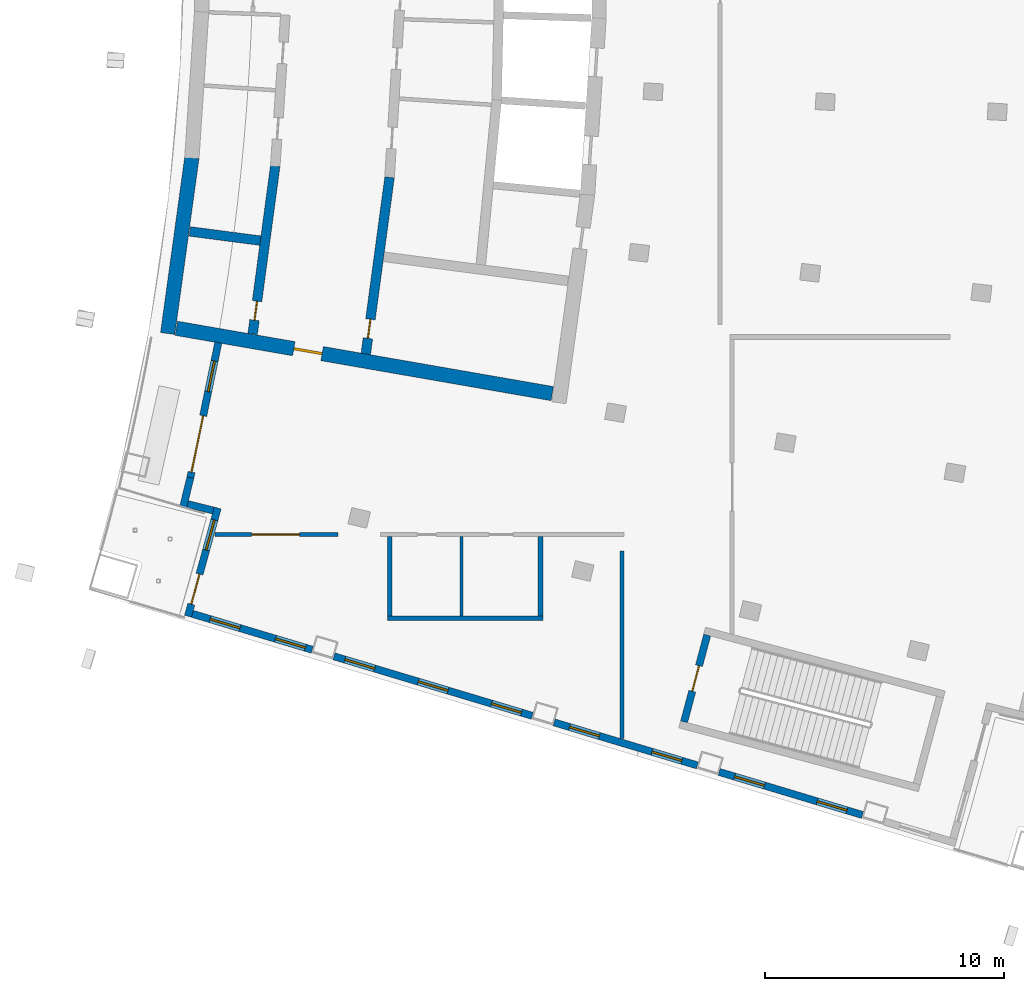
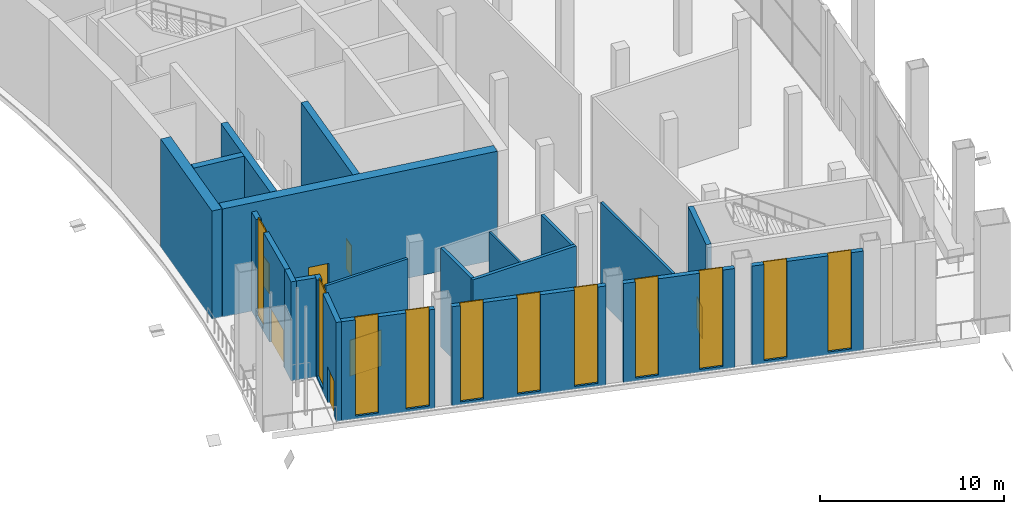
# One storey, part 13 of 24: 20 walls, 11 windows, 7 doors, 18 openings.
"""IFC4 building model written with IfcOpenShell, lengths in metres."""

from ifc_helpers import new_model, si_unit, direction, frame, frame_2d, origin, place, context, subcontext, project, spatial, rectangle, extrude, material, layer, layer_set, type_object, element, fill, save


model = new_model("IFC4")

# Units and contexts
model_context = context("Model", 3, precision=1e-05, world=origin(), true_north=direction((0.0, 1.0)))
body_context = subcontext(model_context, "Body", "Model", "MODEL_VIEW")
ifc_project = project(units=[si_unit("LENGTHUNIT", "METRE"), si_unit("AREAUNIT", "SQUARE_METRE"), si_unit("VOLUMEUNIT", "CUBIC_METRE"), si_unit("PLANEANGLEUNIT", "RADIAN"), si_unit("MASSUNIT", "GRAM", prefix="KILO")], contexts=[model_context])

# Site, building, storey
site_placement = place(None, origin())
site = spatial("IfcSite", under=ifc_project, at=site_placement, CompositionType="ELEMENT")
building_placement = place(site_placement, origin())
building = spatial("IfcBuilding", under=site, at=building_placement, Name="Alderwake Tower", CompositionType="ELEMENT")
storey_placement = place(building_placement, frame((0.0, 0.0, 232.39990234375)))
storey = spatial("IfcBuildingStorey", under=building, at=storey_placement, Name="L58", CompositionType="ELEMENT", Elevation=232.39990234375)

# Wall
ifc_material_1 = material(Name="Concrete C70/85", Category="concrete")
ifc_layer_1 = layer(ifc_material_1, 0.60009765625)
ifc_layer_set_1 = layer_set([ifc_layer_1], Name="Core wall outer 600 C70-85")
wall_type_1 = type_object("IfcWallType", Name="Core wall outer 600 C70-85", PredefinedType="SHEAR", material=ifc_layer_set_1)
wall_1_placement = place(storey_placement, frame((15.321533203125, 44.146240234375, 0.0), z_axis=(0.0, 0.0, 1.0), x_axis=(0.136316498814, 0.990665338119, 0.0)))
element("IfcWall", 1, at=wall_1_placement, inside=storey, type_object=wall_type_1, Name="Core wall CW.037", PredefinedType="SHEAR", context=body_context, shape_type="SweptSolid", body=[
    extrude(rectangle(XDim=7.41455078125, YDim=0.60009765625, at=frame_2d((3.707275390625, 0.0))), origin(), (0.0, 0.0, 1.0), 7.2001953125),
])

# Wall, opening, door
wall_2_placement = place(storey_placement, frame((31.386962890625, 41.63525390625, 0.0), z_axis=(0.0, 0.0, 1.0), x_axis=(-0.985223108003, 0.171275881127, 0.0)))
wall_2 = element("IfcWall", 2, at=wall_2_placement, inside=storey, type_object=wall_type_1, Name="Core wall CW.072", PredefinedType="SHEAR", context=body_context, shape_type="SweptSolid", body=[
    extrude(rectangle(XDim=15.937744140625, YDim=0.60009765625, at=frame_2d((7.96875, 0.0))), origin(), (0.0, 0.0, 1.0), 7.2001953125),
])
opening_1_placement = place(wall_2_placement, frame((9.757568359375, 0.0, 0.0)))
opening_1 = element("IfcOpeningElement", 3, at=opening_1_placement, cuts=wall_2, Name="Opening C003", PredefinedType="OPENING", context=body_context, shape_type="SweptSolid", body=[
    extrude(rectangle(XDim=1.199951171875, YDim=2.10009765625, at=frame_2d((0.60009765625, 1.050048828125))), frame((0.0, 0.31005859375, 0.0), z_axis=(0.0, -1.0, 0.0), x_axis=(1.0, 0.0, 0.0)), (0.0, 0.0, 1.0), 0.6201171875),
])
ifc_material_2 = material(Name="Steel-framed fire door leaf", Category="steel")
door_type_1 = type_object("IfcDoorType", Name="Core lobby exit door 1200 fire-rated", OperationType="SINGLE_SWING_LEFT", PredefinedType="DOOR", material=ifc_material_2)
door_1_placement = place(opening_1_placement, origin())
door_1 = element("IfcDoor", 4, at=door_1_placement, inside=storey, type_object=door_type_1, Name="Lobby door", OperationType="SINGLE_SWING_LEFT", OverallHeight=2.10009765625, OverallWidth=1.199951171875, PredefinedType="DOOR", context=body_context, shape_type="SweptSolid", body=[
    extrude(rectangle(XDim=1.199951171875, YDim=2.10009765625, at=frame_2d((0.60009765625, 1.050048828125))), frame((0.0, 0.050048828125, 0.0), z_axis=(0.0, -1.0, 0.0), x_axis=(1.0, 0.0, 0.0)), (0.0, 0.0, 1.0), 0.10009765625),
])
fill(opening_1, door_1)

ifc_material_3 = material(Name="Concrete C70/85", Category="concrete")
ifc_layer_2 = layer(ifc_material_3, 0.39990234375)
ifc_layer_set_2 = layer_set([ifc_layer_2], Name="Core wall spine 400 C70-85")
wall_type_2 = type_object("IfcWallType", Name="Core wall spine 400 C70-85", PredefinedType="SHEAR", material=ifc_layer_set_2)
wall_3_placement = place(storey_placement, frame((19.814697265625, 51.143798828125, 0.0), z_axis=(0.0, 0.0, 1.0), x_axis=(-0.133333838703, -0.991071181831, 0.0)))
wall_3 = element("IfcWall", 5, at=wall_3_placement, inside=storey, type_object=wall_type_2, Name="Core wall CW.033", PredefinedType="SHEAR", context=body_context, shape_type="SweptSolid", body=[
    extrude(rectangle(XDim=7.078857421875, YDim=0.39990234375, at=frame_2d((3.53955078125, 0.0))), origin(), (0.0, 0.0, 1.0), 7.2001953125),
])
opening_2_placement = place(wall_3_placement, frame((5.69677734375, 0.0, 0.0)))
opening_2 = element("IfcOpeningElement", 6, at=opening_2_placement, cuts=wall_3, Name="Opening C007", PredefinedType="OPENING", context=body_context, shape_type="SweptSolid", body=[
    extrude(rectangle(XDim=0.800048828125, YDim=2.0, at=frame_2d((0.39990234375, 1.0))), frame((0.0, 0.2099609375, 0.0), z_axis=(0.0, -1.0, 0.0), x_axis=(1.0, 0.0, 0.0)), (0.0, 0.0, 1.0), 0.419921875),
])
ifc_material_4 = material(Name="Painted steel leaf, rated", Category="steel")
door_type_2 = type_object("IfcDoorType", Name="Riser access door 800", OperationType="SINGLE_SWING_LEFT", PredefinedType="DOOR", material=ifc_material_4)
door_2_placement = place(opening_2_placement, origin())
door_2 = element("IfcDoor", 7, at=door_2_placement, inside=storey, type_object=door_type_2, Name="Riser access door", OperationType="SINGLE_SWING_LEFT", OverallHeight=2.0, OverallWidth=0.800048828125, PredefinedType="DOOR", context=body_context, shape_type="SweptSolid", body=[
    extrude(rectangle(XDim=0.800048828125, YDim=2.0, at=frame_2d((0.39990234375, 1.0))), frame((0.0, 0.02490234375, 0.0), z_axis=(0.0, -1.0, 0.0), x_axis=(1.0, 0.0, 0.0)), (0.0, 0.0, 1.0), 0.050048828125),
])
fill(opening_2, door_2)

wall_4_placement = place(storey_placement, frame((23.597412109375, 43.29248046875, 0.0), z_axis=(0.0, 0.0, 1.0), x_axis=(0.133499326361, 0.99104890387, 0.0)))
wall_4 = element("IfcWall", 8, at=wall_4_placement, inside=storey, type_object=wall_type_2, Name="Core wall CW.047", PredefinedType="SHEAR", context=body_context, shape_type="SweptSolid", body=[
    extrude(rectangle(XDim=7.44677734375, YDim=0.39990234375, at=frame_2d((3.723388671875, 0.0))), origin(), (0.0, 0.0, 1.0), 7.2001953125),
])
opening_3_placement = place(wall_4_placement, frame((0.65771484375, 0.0, 0.0)))
opening_3 = element("IfcOpeningElement", 9, at=opening_3_placement, cuts=wall_4, Name="Opening C014", PredefinedType="OPENING", context=body_context, shape_type="SweptSolid", body=[
    extrude(rectangle(XDim=0.800048828125, YDim=2.0, at=frame_2d((0.39990234375, 1.0))), frame((0.0, 0.2099609375, 0.0), z_axis=(0.0, -1.0, 0.0), x_axis=(1.0, 0.0, 0.0)), (0.0, 0.0, 1.0), 0.419921875),
])
door_3_placement = place(opening_3_placement, origin())
door_3 = element("IfcDoor", 10, at=door_3_placement, inside=storey, type_object=door_type_2, Name="Riser access door", OperationType="SINGLE_SWING_RIGHT", OverallHeight=2.0, OverallWidth=0.800048828125, PredefinedType="DOOR", context=body_context, shape_type="SweptSolid", body=[
    extrude(rectangle(XDim=0.800048828125, YDim=2.0, at=frame_2d((0.39990234375, 1.0))), frame((0.0, 0.02490234375, 0.0), z_axis=(0.0, -1.0, 0.0), x_axis=(1.0, 0.0, 0.0)), (0.0, 0.0, 1.0), 0.050048828125),
])
fill(opening_3, door_3)

# Wall
wall_5_placement = place(storey_placement, frame((16.24169921875, 48.412353515625, 0.0), z_axis=(0.0, 0.0, 1.0), x_axis=(0.991548658387, -0.129735338481, 0.0)))
element("IfcWall", 11, at=wall_5_placement, inside=storey, type_object=wall_type_2, Name="Core wall CW.067", PredefinedType="SHEAR", context=body_context, shape_type="SweptSolid", body=[
    extrude(rectangle(XDim=2.97705078125, YDim=0.39990234375, at=frame_2d((1.488525390625, 0.0))), origin(), (0.0, 0.0, 1.0), 7.2001953125),
])

# Wall, opening, door
ifc_material_5 = material(Name="Concrete C70/85", Category="concrete")
ifc_layer_3 = layer(ifc_material_5, 0.300048828125)
ifc_layer_set_3 = layer_set([ifc_layer_3], Name="Core wall stair enclosure 300 C70-85")
wall_type_3 = type_object("IfcWallType", Name="Core wall stair enclosure 300 C70-85", PredefinedType="SHEAR", material=ifc_layer_set_3)
wall_6_placement = place(storey_placement, frame((36.89501953125, 27.923828125, 0.0), z_axis=(0.0, 0.0, 1.0), x_axis=(0.257350630826, 0.966318090907, 0.0)))
wall_6 = element("IfcWall", 12, at=wall_6_placement, inside=storey, type_object=wall_type_3, Name="Core wall CW.087", PredefinedType="SHEAR", context=body_context, shape_type="SweptSolid", body=[
    extrude(rectangle(XDim=3.75, YDim=0.300048828125, at=frame_2d((1.875, 0.0))), origin(), (0.0, 0.0, 1.0), 7.2001953125),
])
opening_4_placement = place(wall_6_placement, frame((1.324951171875, 0.0, 0.0)))
opening_4 = element("IfcOpeningElement", 13, at=opening_4_placement, cuts=wall_6, Name="Opening C065", PredefinedType="OPENING", context=body_context, shape_type="SweptSolid", body=[
    extrude(rectangle(XDim=1.10009765625, YDim=2.10009765625, at=frame_2d((0.550048828125, 1.050048828125))), frame((0.0, 0.159912109375, 0.0), z_axis=(0.0, -1.0, 0.0), x_axis=(1.0, 0.0, 0.0)), (0.0, 0.0, 1.0), 0.320068359375),
])
ifc_material_6 = material(Name="Steel-framed fire door leaf", Category="steel")
door_type_3 = type_object("IfcDoorType", Name="Core stair door 1100 fire-rated", OperationType="SINGLE_SWING_LEFT", PredefinedType="DOOR", material=ifc_material_6)
door_4_placement = place(opening_4_placement, origin())
door_4 = element("IfcDoor", 14, at=door_4_placement, inside=storey, type_object=door_type_3, Name="Stair door", OperationType="SINGLE_SWING_LEFT", OverallHeight=2.10009765625, OverallWidth=1.10009765625, PredefinedType="DOOR", context=body_context, shape_type="SweptSolid", body=[
    extrude(rectangle(XDim=1.10009765625, YDim=2.10009765625, at=frame_2d((0.550048828125, 1.050048828125))), frame((0.0, 0.02490234375, 0.0), z_axis=(0.0, -1.0, 0.0), x_axis=(1.0, 0.0, 0.0)), (0.0, 0.0, 1.0), 0.050048828125),
])
fill(opening_4, door_4)

ifc_material_7 = material(Name="Gypsum board on metal studs, rated")
ifc_layer_4 = layer(ifc_material_7, 0.159912109375)
ifc_layer_set_4 = layer_set([ifc_layer_4], Name="Corridor wall 160")
wall_type_4 = type_object("IfcWallType", Name="Corridor wall 160", PredefinedType="PARTITIONING", material=ifc_layer_set_4)
wall_7_placement = place(storey_placement, frame((17.2939453125, 35.7509765625, 0.0), z_axis=(0.0, 0.0, 1.0), x_axis=(1.0, 0.0, 0.0)))
wall_7 = element("IfcWall", 15, at=wall_7_placement, inside=storey, type_object=wall_type_4, Name="WL/L58/W09", PredefinedType="PARTITIONING", context=body_context, shape_type="SweptSolid", body=[
    extrude(rectangle(XDim=5.14306640625, YDim=0.159912109375, at=frame_2d((2.571533203125, 0.0))), origin(), (0.0, 0.0, 1.0), 6.60009765625),
])
opening_5_placement = place(wall_7_placement, frame((1.52978515625, 0.0, 0.0)))
opening_5 = element("IfcOpeningElement", 16, at=opening_5_placement, cuts=wall_7, Name="Opening L58-05", PredefinedType="OPENING", context=body_context, shape_type="SweptSolid", body=[
    extrude(rectangle(XDim=2.0, YDim=2.39990234375, at=frame_2d((1.0, 1.199951171875))), frame((0.0, 0.08984375, 0.0), z_axis=(0.0, -1.0, 0.0), x_axis=(1.0, 0.0, 0.0)), (0.0, 0.0, 1.0), 0.179931640625),
])
ifc_material_8 = material(Name="Timber leaves with glazed panels", Category="wood")
door_type_4 = type_object("IfcDoorType", Name="Hall double door 2000", OperationType="DOUBLE_DOOR_SINGLE_SWING", PredefinedType="DOOR", material=ifc_material_8)
door_5_placement = place(opening_5_placement, origin())
door_5 = element("IfcDoor", 17, at=door_5_placement, inside=storey, type_object=door_type_4, Name="DR/L58/05", OperationType="DOUBLE_DOOR_SINGLE_SWING", OverallHeight=2.39990234375, OverallWidth=2.0, PredefinedType="DOOR", context=body_context, shape_type="SweptSolid", body=[
    extrude(rectangle(XDim=2.0, YDim=2.39990234375, at=frame_2d((1.0, 1.199951171875))), frame((0.0, 0.02490234375, 0.0), z_axis=(0.0, -1.0, 0.0), x_axis=(1.0, 0.0, 0.0)), (0.0, 0.0, 1.0), 0.050048828125),
])
fill(opening_5, door_5)

# Wall
wall_8_placement = place(storey_placement, frame((34.299072265625, 35.071044921875, 0.0), z_axis=(0.0, 0.0, 1.0), x_axis=(0.0, -1.0, 0.0)))
element("IfcWall", 18, at=wall_8_placement, inside=storey, type_object=wall_type_4, Name="WL/L58/W12", PredefinedType="PARTITIONING", context=body_context, shape_type="SweptSolid", body=[
    extrude(rectangle(XDim=7.843994140625, YDim=0.159912109375, at=frame_2d((3.921875, 0.0))), origin(), (0.0, 0.0, 1.0), 6.60009765625),
])

# Wall, openings, door, window
ifc_material_9 = material(Name="Precast concrete C50/60 spandrel panel", Category="concrete")
ifc_layer_5 = layer(ifc_material_9, 0.300048828125)
ifc_layer_set_5 = layer_set([ifc_layer_5], Name="External wall EW1 Precast concrete C50/60 spandrel")
wall_type_5 = type_object("IfcWallType", Name="External wall EW1 Precast concrete C50/60 spandrel", PredefinedType="SOLIDWALL", material=ifc_layer_set_5)
wall_9_placement = place(storey_placement, frame((17.4375, 43.76611328125, 0.0), z_axis=(0.0, 0.0, 1.0), x_axis=(-0.202766676763, -0.979227080301, 0.0)))
wall_9 = element("IfcWall", 19, at=wall_9_placement, inside=storey, type_object=wall_type_5, Name="External wall 3", PredefinedType="SOLIDWALL", context=body_context, shape_type="SweptSolid", body=[
    extrude(rectangle(XDim=5.763671875, YDim=0.300048828125, at=frame_2d((2.8818359375, 0.0))), origin(), (0.0, 0.0, 1.0), 6.60009765625),
])
opening_6_placement = place(wall_9_placement, frame((0.78759765625, 0.0, 0.199951171875)))
opening_6 = element("IfcOpeningElement", 20, at=opening_6_placement, cuts=wall_9, Name="Opening W5", PredefinedType="OPENING", context=body_context, shape_type="SweptSolid", body=[
    extrude(rectangle(XDim=1.300048828125, YDim=6.5, at=frame_2d((0.64990234375, 3.25))), frame((0.0, 0.159912109375, 0.0), z_axis=(0.0, -1.0, 0.0), x_axis=(1.0, 0.0, 0.0)), (0.0, 0.0, 1.0), 0.320068359375),
])
opening_7_placement = place(wall_9_placement, frame((3.121826171875, 0.0, 0.0)))
opening_7 = element("IfcOpeningElement", 21, at=opening_7_placement, cuts=wall_9, Name="Opening D01", PredefinedType="OPENING", context=body_context, shape_type="SweptSolid", body=[
    extrude(rectangle(XDim=2.39990234375, YDim=2.39990234375, at=frame_2d((1.199951171875, 1.199951171875))), frame((0.0, 0.159912109375, 0.0), z_axis=(0.0, -1.0, 0.0), x_axis=(1.0, 0.0, 0.0)), (0.0, 0.0, 1.0), 0.320068359375),
])
ifc_material_10 = material(Name="Bronze tinted glass in aluminium frame", Category="aluminium")
door_type_5 = type_object("IfcDoorType", Name="Garden door GD sliding", OperationType="DOUBLE_DOOR_SINGLE_SWING", PredefinedType="DOOR", material=ifc_material_10)
door_6_placement = place(opening_7_placement, origin())
door_6 = element("IfcDoor", 22, at=door_6_placement, inside=storey, type_object=door_type_5, Name="Door D01", OperationType="DOUBLE_DOOR_SINGLE_SWING", OverallHeight=2.39990234375, OverallWidth=2.39990234375, PredefinedType="DOOR", context=body_context, shape_type="SweptSolid", body=[
    extrude(rectangle(XDim=2.39990234375, YDim=2.39990234375, at=frame_2d((1.199951171875, 1.199951171875))), frame((0.0, 0.02490234375, 0.0), z_axis=(0.0, -1.0, 0.0), x_axis=(1.0, 0.0, 0.0)), (0.0, 0.0, 1.0), 0.050048828125),
])
fill(opening_7, door_6)
ifc_material_11 = material(Name="Bronze tinted glass in aluminium frame", Category="aluminium")
window_type = type_object("IfcWindowType", Name="Window W5 garden floor tall", PartitioningType="SINGLE_PANEL", PredefinedType="WINDOW", material=ifc_material_11)
window_1_placement = place(opening_6_placement, origin())
window_1 = element("IfcWindow", 23, at=window_1_placement, inside=storey, type_object=window_type, Name="Window W5 garden floor tall", OverallHeight=6.5, OverallWidth=1.300048828125, PartitioningType="SINGLE_PANEL", PredefinedType="WINDOW", context=body_context, shape_type="SweptSolid", body=[
    extrude(rectangle(XDim=1.300048828125, YDim=6.5, at=frame_2d((0.64990234375, 3.25))), frame((0.0, 0.030029296875, 0.0), z_axis=(0.0, -1.0, 0.0), x_axis=(1.0, 0.0, 0.0)), (0.0, 0.0, 1.0), 0.06005859375),
])
fill(opening_6, window_1)

# Walls
wall_10_placement = place(storey_placement, frame((16.2685546875, 38.120361328125, 0.0), z_axis=(0.0, 0.0, 1.0), x_axis=(-0.238280960487, -0.971196264341, 0.0)))
element("IfcWall", 24, at=wall_10_placement, inside=storey, type_object=wall_type_5, Name="External wall 4", PredefinedType="SOLIDWALL", context=body_context, shape_type="SweptSolid", body=[
    extrude(rectangle(XDim=1.242919921875, YDim=0.300048828125, at=frame_2d((0.62158203125, 0.0))), origin(), (0.0, 0.0, 1.0), 6.60009765625),
])
ifc_material_12 = material(Name="Bronze metal cladding on lightweight framing")
ifc_layer_6 = layer(ifc_material_12, 0.300048828125)
ifc_layer_set_6 = layer_set([ifc_layer_6], Name="External wall EW2 bronze metal cladding")
wall_type_6 = type_object("IfcWallType", Name="External wall EW2 bronze metal cladding", PredefinedType="SOLIDWALL", material=ifc_layer_set_6)
wall_11_placement = place(storey_placement, frame((16.153564453125, 37.022216796875, 0.0), z_axis=(0.0, 0.0, 1.0), x_axis=(0.969436987534, -0.245340431241, 0.0)))
element("IfcWall", 25, at=wall_11_placement, inside=storey, type_object=wall_type_6, Name="External wall 5", PredefinedType="SOLIDWALL", context=body_context, shape_type="SweptSolid", body=[
    extrude(rectangle(XDim=1.10546875, YDim=0.300048828125, at=frame_2d((0.552734375, 0.0))), origin(), (0.0, 0.0, 1.0), 6.60009765625),
])

# Wall, openings, door, window
wall_12_placement = place(storey_placement, frame((17.410400390625, 36.85888671875, 0.0), z_axis=(0.0, 0.0, 1.0), x_axis=(-0.264592640785, -0.96436027212, 0.0)))
wall_12 = element("IfcWall", 26, at=wall_12_placement, inside=storey, type_object=wall_type_6, Name="External wall 6", PredefinedType="SOLIDWALL", context=body_context, shape_type="SweptSolid", body=[
    extrude(rectangle(XDim=4.690185546875, YDim=0.300048828125, at=frame_2d((2.34521484375, 0.0))), origin(), (0.0, 0.0, 1.0), 6.60009765625),
])
opening_8_placement = place(wall_12_placement, frame((0.5224609375, 0.0, 0.199951171875)))
opening_8 = element("IfcOpeningElement", 27, at=opening_8_placement, cuts=wall_12, Name="Opening W5", PredefinedType="OPENING", context=body_context, shape_type="SweptSolid", body=[
    extrude(rectangle(XDim=1.300048828125, YDim=6.5, at=frame_2d((0.64990234375, 3.25))), frame((0.0, 0.159912109375, 0.0), z_axis=(0.0, -1.0, 0.0), x_axis=(1.0, 0.0, 0.0)), (0.0, 0.0, 1.0), 0.320068359375),
])
opening_9_placement = place(wall_12_placement, frame((2.867431640625, 0.0, 0.0)))
opening_9 = element("IfcOpeningElement", 28, at=opening_9_placement, cuts=wall_12, Name="Opening D02", PredefinedType="OPENING", context=body_context, shape_type="SweptSolid", body=[
    extrude(rectangle(XDim=1.300048828125, YDim=2.39990234375, at=frame_2d((0.64990234375, 1.199951171875))), frame((0.0, 0.159912109375, 0.0), z_axis=(0.0, -1.0, 0.0), x_axis=(1.0, 0.0, 0.0)), (0.0, 0.0, 1.0), 0.320068359375),
])
ifc_material_13 = material(Name="Bronze tinted glass in aluminium frame", Category="aluminium")
door_type_6 = type_object("IfcDoorType", Name="Balcony door BD sliding", OperationType="SLIDING_TO_LEFT", PredefinedType="DOOR", material=ifc_material_13)
door_7_placement = place(opening_9_placement, origin())
door_7 = element("IfcDoor", 29, at=door_7_placement, inside=storey, type_object=door_type_6, Name="Door D02", OperationType="SLIDING_TO_LEFT", OverallHeight=2.39990234375, OverallWidth=1.300048828125, PredefinedType="DOOR", context=body_context, shape_type="SweptSolid", body=[
    extrude(rectangle(XDim=1.300048828125, YDim=2.39990234375, at=frame_2d((0.64990234375, 1.199951171875))), frame((0.0, 0.02490234375, 0.0), z_axis=(0.0, -1.0, 0.0), x_axis=(1.0, 0.0, 0.0)), (0.0, 0.0, 1.0), 0.050048828125),
])
fill(opening_9, door_7)
window_2_placement = place(opening_8_placement, origin())
window_2 = element("IfcWindow", 30, at=window_2_placement, inside=storey, type_object=window_type, Name="Window W5 garden floor tall", OverallHeight=6.5, OverallWidth=1.300048828125, PartitioningType="SINGLE_PANEL", PredefinedType="WINDOW", context=body_context, shape_type="SweptSolid", body=[
    extrude(rectangle(XDim=1.300048828125, YDim=6.5, at=frame_2d((0.64990234375, 3.25))), frame((0.0, 0.030029296875, 0.0), z_axis=(0.0, -1.0, 0.0), x_axis=(1.0, 0.0, 0.0)), (0.0, 0.0, 1.0), 0.06005859375),
])
fill(opening_8, window_2)

# Wall, openings, windows
wall_13_placement = place(storey_placement, frame((16.352783203125, 32.4375, 0.0), z_axis=(0.0, 0.0, 1.0), x_axis=(0.95777225046, -0.287527939944, 0.0)))
wall_13 = element("IfcWall", 31, at=wall_13_placement, inside=storey, type_object=wall_type_6, Name="External wall 7", PredefinedType="SOLIDWALL", context=body_context, shape_type="SweptSolid", body=[
    extrude(rectangle(XDim=5.224609375, YDim=0.300048828125, at=frame_2d((2.6123046875, 0.0))), origin(), (0.0, 0.0, 1.0), 6.60009765625),
])
opening_10_placement = place(wall_13_placement, frame((0.775390625, 0.0, 0.199951171875)))
opening_10 = element("IfcOpeningElement", 32, at=opening_10_placement, cuts=wall_13, Name="Opening W5", PredefinedType="OPENING", context=body_context, shape_type="SweptSolid", body=[
    extrude(rectangle(XDim=1.300048828125, YDim=6.5, at=frame_2d((0.64990234375, 3.25))), frame((0.0, 0.159912109375, 0.0), z_axis=(0.0, -1.0, 0.0), x_axis=(1.0, 0.0, 0.0)), (0.0, 0.0, 1.0), 0.320068359375),
])
opening_11_placement = place(wall_13_placement, frame((3.626220703125, 0.0, 0.199951171875)))
opening_11 = element("IfcOpeningElement", 33, at=opening_11_placement, cuts=wall_13, Name="Opening W5", PredefinedType="OPENING", context=body_context, shape_type="SweptSolid", body=[
    extrude(rectangle(XDim=1.300048828125, YDim=6.5, at=frame_2d((0.64990234375, 3.25))), frame((0.0, 0.159912109375, 0.0), z_axis=(0.0, -1.0, 0.0), x_axis=(1.0, 0.0, 0.0)), (0.0, 0.0, 1.0), 0.320068359375),
])
window_3_placement = place(opening_10_placement, origin())
window_3 = element("IfcWindow", 34, at=window_3_placement, inside=storey, type_object=window_type, Name="Window W5 garden floor tall", OverallHeight=6.5, OverallWidth=1.300048828125, PartitioningType="SINGLE_PANEL", PredefinedType="WINDOW", context=body_context, shape_type="SweptSolid", body=[
    extrude(rectangle(XDim=1.300048828125, YDim=6.5, at=frame_2d((0.64990234375, 3.25))), frame((0.0, 0.030029296875, 0.0), z_axis=(0.0, -1.0, 0.0), x_axis=(1.0, 0.0, 0.0)), (0.0, 0.0, 1.0), 0.06005859375),
])
fill(opening_10, window_3)
window_4_placement = place(opening_11_placement, origin())
window_4 = element("IfcWindow", 35, at=window_4_placement, inside=storey, type_object=window_type, Name="Window W5 garden floor tall", OverallHeight=6.5, OverallWidth=1.300048828125, PartitioningType="SINGLE_PANEL", PredefinedType="WINDOW", context=body_context, shape_type="SweptSolid", body=[
    extrude(rectangle(XDim=1.300048828125, YDim=6.5, at=frame_2d((0.64990234375, 3.25))), frame((0.0, 0.030029296875, 0.0), z_axis=(0.0, -1.0, 0.0), x_axis=(1.0, 0.0, 0.0)), (0.0, 0.0, 1.0), 0.06005859375),
])
fill(opening_11, window_4)

wall_14_placement = place(storey_placement, frame((22.270751953125, 30.660888671875, 0.0), z_axis=(0.0, 0.0, 1.0), x_axis=(0.957767198916, -0.287544766394, 0.0)))
wall_14 = element("IfcWall", 36, at=wall_14_placement, inside=storey, type_object=wall_type_6, Name="External wall 8", PredefinedType="SOLIDWALL", context=body_context, shape_type="SweptSolid", body=[
    extrude(rectangle(XDim=8.64599609375, YDim=0.300048828125, at=frame_2d((4.322998046875, 0.0))), origin(), (0.0, 0.0, 1.0), 6.60009765625),
])
opening_12_placement = place(wall_14_placement, frame((0.472900390625, 0.0, 0.199951171875)))
opening_12 = element("IfcOpeningElement", 37, at=opening_12_placement, cuts=wall_14, Name="Opening W5", PredefinedType="OPENING", context=body_context, shape_type="SweptSolid", body=[
    extrude(rectangle(XDim=1.300048828125, YDim=6.5, at=frame_2d((0.64990234375, 3.25))), frame((0.0, 0.159912109375, 0.0), z_axis=(0.0, -1.0, 0.0), x_axis=(1.0, 0.0, 0.0)), (0.0, 0.0, 1.0), 0.320068359375),
])
opening_13_placement = place(wall_14_placement, frame((3.673095703125, 0.0, 0.199951171875)))
opening_13 = element("IfcOpeningElement", 38, at=opening_13_placement, cuts=wall_14, Name="Opening W5", PredefinedType="OPENING", context=body_context, shape_type="SweptSolid", body=[
    extrude(rectangle(XDim=1.300048828125, YDim=6.5, at=frame_2d((0.64990234375, 3.25))), frame((0.0, 0.159912109375, 0.0), z_axis=(0.0, -1.0, 0.0), x_axis=(1.0, 0.0, 0.0)), (0.0, 0.0, 1.0), 0.320068359375),
])
opening_14_placement = place(wall_14_placement, frame((6.873046875, 0.0, 0.199951171875)))
opening_14 = element("IfcOpeningElement", 39, at=opening_14_placement, cuts=wall_14, Name="Opening W5", PredefinedType="OPENING", context=body_context, shape_type="SweptSolid", body=[
    extrude(rectangle(XDim=1.300048828125, YDim=6.5, at=frame_2d((0.64990234375, 3.25))), frame((0.0, 0.159912109375, 0.0), z_axis=(0.0, -1.0, 0.0), x_axis=(1.0, 0.0, 0.0)), (0.0, 0.0, 1.0), 0.320068359375),
])
window_5_placement = place(opening_12_placement, origin())
window_5 = element("IfcWindow", 40, at=window_5_placement, inside=storey, type_object=window_type, Name="Window W5 garden floor tall", OverallHeight=6.5, OverallWidth=1.300048828125, PartitioningType="SINGLE_PANEL", PredefinedType="WINDOW", context=body_context, shape_type="SweptSolid", body=[
    extrude(rectangle(XDim=1.300048828125, YDim=6.5, at=frame_2d((0.64990234375, 3.25))), frame((0.0, 0.030029296875, 0.0), z_axis=(0.0, -1.0, 0.0), x_axis=(1.0, 0.0, 0.0)), (0.0, 0.0, 1.0), 0.06005859375),
])
fill(opening_12, window_5)
window_6_placement = place(opening_13_placement, origin())
window_6 = element("IfcWindow", 41, at=window_6_placement, inside=storey, type_object=window_type, Name="Window W5 garden floor tall", OverallHeight=6.5, OverallWidth=1.300048828125, PartitioningType="SINGLE_PANEL", PredefinedType="WINDOW", context=body_context, shape_type="SweptSolid", body=[
    extrude(rectangle(XDim=1.300048828125, YDim=6.5, at=frame_2d((0.64990234375, 3.25))), frame((0.0, 0.030029296875, 0.0), z_axis=(0.0, -1.0, 0.0), x_axis=(1.0, 0.0, 0.0)), (0.0, 0.0, 1.0), 0.06005859375),
])
fill(opening_13, window_6)
window_7_placement = place(opening_14_placement, origin())
window_7 = element("IfcWindow", 42, at=window_7_placement, inside=storey, type_object=window_type, Name="Window W5 garden floor tall", OverallHeight=6.5, OverallWidth=1.300048828125, PartitioningType="SINGLE_PANEL", PredefinedType="WINDOW", context=body_context, shape_type="SweptSolid", body=[
    extrude(rectangle(XDim=1.300048828125, YDim=6.5, at=frame_2d((0.64990234375, 3.25))), frame((0.0, 0.030029296875, 0.0), z_axis=(0.0, -1.0, 0.0), x_axis=(1.0, 0.0, 0.0)), (0.0, 0.0, 1.0), 0.06005859375),
])
fill(opening_14, window_7)

wall_15_placement = place(storey_placement, frame((31.465087890625, 27.900390625, 0.0), z_axis=(0.0, 0.0, 1.0), x_axis=(0.95776710022, -0.287545095136, 0.0)))
wall_15 = element("IfcWall", 43, at=wall_15_placement, inside=storey, type_object=wall_type_6, Name="External wall 9", PredefinedType="SOLIDWALL", context=body_context, shape_type="SweptSolid", body=[
    extrude(rectangle(XDim=6.24658203125, YDim=0.300048828125, at=frame_2d((3.123291015625, 0.0))), origin(), (0.0, 0.0, 1.0), 6.60009765625),
])
opening_15_placement = place(wall_15_placement, frame((0.673095703125, 0.0, 0.199951171875)))
opening_15 = element("IfcOpeningElement", 44, at=opening_15_placement, cuts=wall_15, Name="Opening W5", PredefinedType="OPENING", context=body_context, shape_type="SweptSolid", body=[
    extrude(rectangle(XDim=1.300048828125, YDim=6.5, at=frame_2d((0.64990234375, 3.25))), frame((0.0, 0.159912109375, 0.0), z_axis=(0.0, -1.0, 0.0), x_axis=(1.0, 0.0, 0.0)), (0.0, 0.0, 1.0), 0.320068359375),
])
opening_16_placement = place(wall_15_placement, frame((4.273193359375, 0.0, 0.199951171875)))
opening_16 = element("IfcOpeningElement", 45, at=opening_16_placement, cuts=wall_15, Name="Opening W5", PredefinedType="OPENING", context=body_context, shape_type="SweptSolid", body=[
    extrude(rectangle(XDim=1.300048828125, YDim=6.5, at=frame_2d((0.64990234375, 3.25))), frame((0.0, 0.159912109375, 0.0), z_axis=(0.0, -1.0, 0.0), x_axis=(1.0, 0.0, 0.0)), (0.0, 0.0, 1.0), 0.320068359375),
])
window_8_placement = place(opening_15_placement, origin())
window_8 = element("IfcWindow", 46, at=window_8_placement, inside=storey, type_object=window_type, Name="Window W5 garden floor tall", OverallHeight=6.5, OverallWidth=1.300048828125, PartitioningType="SINGLE_PANEL", PredefinedType="WINDOW", context=body_context, shape_type="SweptSolid", body=[
    extrude(rectangle(XDim=1.300048828125, YDim=6.5, at=frame_2d((0.64990234375, 3.25))), frame((0.0, 0.030029296875, 0.0), z_axis=(0.0, -1.0, 0.0), x_axis=(1.0, 0.0, 0.0)), (0.0, 0.0, 1.0), 0.06005859375),
])
fill(opening_15, window_8)
window_9_placement = place(opening_16_placement, origin())
window_9 = element("IfcWindow", 47, at=window_9_placement, inside=storey, type_object=window_type, Name="Window W5 garden floor tall", OverallHeight=6.5, OverallWidth=1.300048828125, PartitioningType="SINGLE_PANEL", PredefinedType="WINDOW", context=body_context, shape_type="SweptSolid", body=[
    extrude(rectangle(XDim=1.300048828125, YDim=6.5, at=frame_2d((0.64990234375, 3.25))), frame((0.0, 0.030029296875, 0.0), z_axis=(0.0, -1.0, 0.0), x_axis=(1.0, 0.0, 0.0)), (0.0, 0.0, 1.0), 0.06005859375),
])
fill(opening_16, window_9)

wall_16_placement = place(storey_placement, frame((38.361083984375, 25.830078125, 0.0), z_axis=(0.0, 0.0, 1.0), x_axis=(0.95776710022, -0.287545095136, 0.0)))
wall_16 = element("IfcWall", 48, at=wall_16_placement, inside=storey, type_object=wall_type_6, Name="External wall 10", PredefinedType="SOLIDWALL", context=body_context, shape_type="SweptSolid", body=[
    extrude(rectangle(XDim=6.24658203125, YDim=0.300048828125, at=frame_2d((3.123291015625, 0.0))), origin(), (0.0, 0.0, 1.0), 6.60009765625),
])
opening_17_placement = place(wall_16_placement, frame((0.673095703125, 0.0, 0.199951171875)))
opening_17 = element("IfcOpeningElement", 49, at=opening_17_placement, cuts=wall_16, Name="Opening W5", PredefinedType="OPENING", context=body_context, shape_type="SweptSolid", body=[
    extrude(rectangle(XDim=1.300048828125, YDim=6.5, at=frame_2d((0.64990234375, 3.25))), frame((0.0, 0.159912109375, 0.0), z_axis=(0.0, -1.0, 0.0), x_axis=(1.0, 0.0, 0.0)), (0.0, 0.0, 1.0), 0.320068359375),
])
opening_18_placement = place(wall_16_placement, frame((4.273193359375, 0.0, 0.199951171875)))
opening_18 = element("IfcOpeningElement", 50, at=opening_18_placement, cuts=wall_16, Name="Opening W5", PredefinedType="OPENING", context=body_context, shape_type="SweptSolid", body=[
    extrude(rectangle(XDim=1.300048828125, YDim=6.5, at=frame_2d((0.64990234375, 3.25))), frame((0.0, 0.159912109375, 0.0), z_axis=(0.0, -1.0, 0.0), x_axis=(1.0, 0.0, 0.0)), (0.0, 0.0, 1.0), 0.320068359375),
])
window_10_placement = place(opening_17_placement, origin())
window_10 = element("IfcWindow", 51, at=window_10_placement, inside=storey, type_object=window_type, Name="Window W5 garden floor tall", OverallHeight=6.5, OverallWidth=1.300048828125, PartitioningType="SINGLE_PANEL", PredefinedType="WINDOW", context=body_context, shape_type="SweptSolid", body=[
    extrude(rectangle(XDim=1.300048828125, YDim=6.5, at=frame_2d((0.64990234375, 3.25))), frame((0.0, 0.030029296875, 0.0), z_axis=(0.0, -1.0, 0.0), x_axis=(1.0, 0.0, 0.0)), (0.0, 0.0, 1.0), 0.06005859375),
])
fill(opening_17, window_10)
window_11_placement = place(opening_18_placement, origin())
window_11 = element("IfcWindow", 52, at=window_11_placement, inside=storey, type_object=window_type, Name="Window W5 garden floor tall", OverallHeight=6.5, OverallWidth=1.300048828125, PartitioningType="SINGLE_PANEL", PredefinedType="WINDOW", context=body_context, shape_type="SweptSolid", body=[
    extrude(rectangle(XDim=1.300048828125, YDim=6.5, at=frame_2d((0.64990234375, 3.25))), frame((0.0, 0.030029296875, 0.0), z_axis=(0.0, -1.0, 0.0), x_axis=(1.0, 0.0, 0.0)), (0.0, 0.0, 1.0), 0.06005859375),
])
fill(opening_18, window_11)

# Walls
ifc_material_14 = material(Name="Dense block masonry wall", Category="masonry")
ifc_layer_7 = layer(ifc_material_14, 0.199951171875)
ifc_layer_set_7 = layer_set([ifc_layer_7], Name="Party wall 200")
wall_type_7 = type_object("IfcWallType", Name="Party wall 200", PredefinedType="SOLIDWALL", material=ifc_layer_set_7)
wall_17_placement = place(storey_placement, frame((24.5, 32.25, 0.0), z_axis=(0.0, 0.0, 1.0), x_axis=(1.0, 0.0, 0.0)))
element("IfcWall", 53, at=wall_17_placement, inside=storey, type_object=wall_type_7, Name="WL/L58/W01", PredefinedType="SOLIDWALL", context=body_context, shape_type="SweptSolid", body=[
    extrude(rectangle(XDim=6.5, YDim=0.199951171875, at=frame_2d((3.25, 0.0))), origin(), (0.0, 0.0, 1.0), 6.60009765625),
])
for number, where, z_axis, x_axis, name in (
    (54, (24.60009765625, 35.6708984375, 0.0), (0.0, 0.0, 1.0), (0.0, -1.0, 0.0), "WL/L58/W02"),
    (55, (30.89990234375, 32.35009765625, 0.0), (0.0, 0.0, 1.0), (0.0, 1.0, 0.0), "WL/L58/W06"),
):
    element("IfcWall", number, at=place(storey_placement, frame(where, z_axis=z_axis, x_axis=x_axis)), inside=storey, type_object=wall_type_7, Name=name, PredefinedType="SOLIDWALL", context=body_context, shape_type="SweptSolid", body=[
        extrude(rectangle(XDim=3.32080078125, YDim=0.199951171875, at=frame_2d((1.660400390625, 0.0))), origin(), (0.0, 0.0, 1.0), 6.60009765625),
    ])
ifc_material_15 = material(Name="Moisture resistant gypsum board on metal studs")
ifc_layer_8 = layer(ifc_material_15, 0.1201171875)
ifc_layer_set_8 = layer_set([ifc_layer_8], Name="Wet room partition 120")
wall_type_8 = type_object("IfcWallType", Name="Wet room partition 120", PredefinedType="PARTITIONING", material=ifc_layer_set_8)
wall_18_placement = place(storey_placement, frame((27.60009765625, 32.35009765625, 0.0), z_axis=(0.0, 0.0, 1.0), x_axis=(0.0, 1.0, 0.0)))
element("IfcWall", 56, at=wall_18_placement, inside=storey, type_object=wall_type_8, Name="WL/L58/W18", PredefinedType="PARTITIONING", context=body_context, shape_type="SweptSolid", body=[
    extrude(rectangle(XDim=3.32080078125, YDim=0.1201171875, at=frame_2d((1.660400390625, 0.0))), origin(), (0.0, 0.0, 1.0), 6.60009765625),
])

save(model, "model.ifc")
